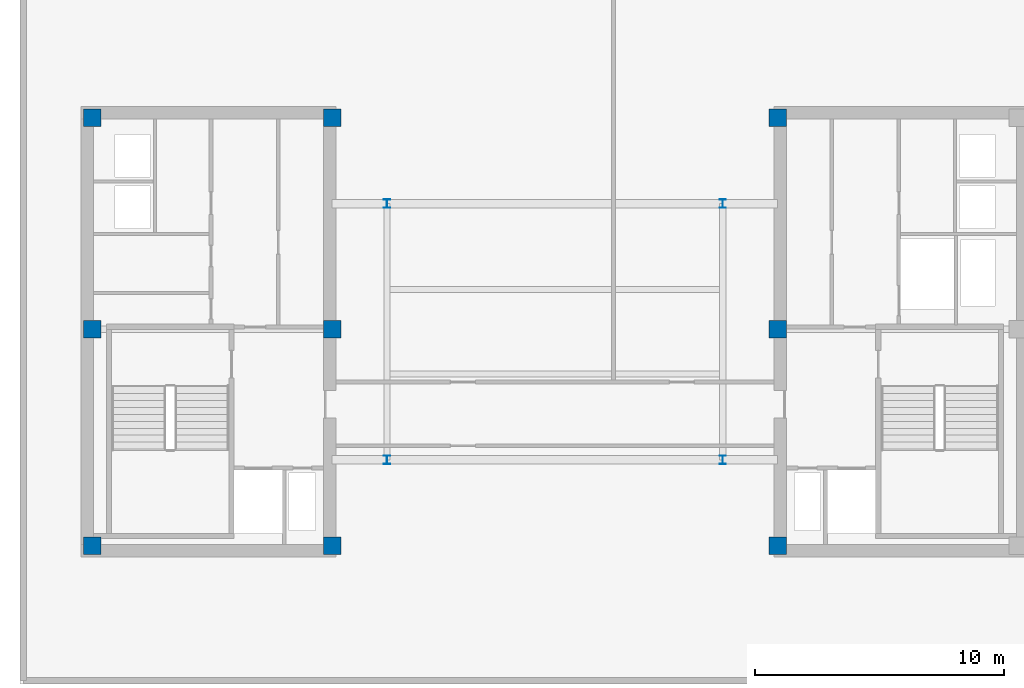
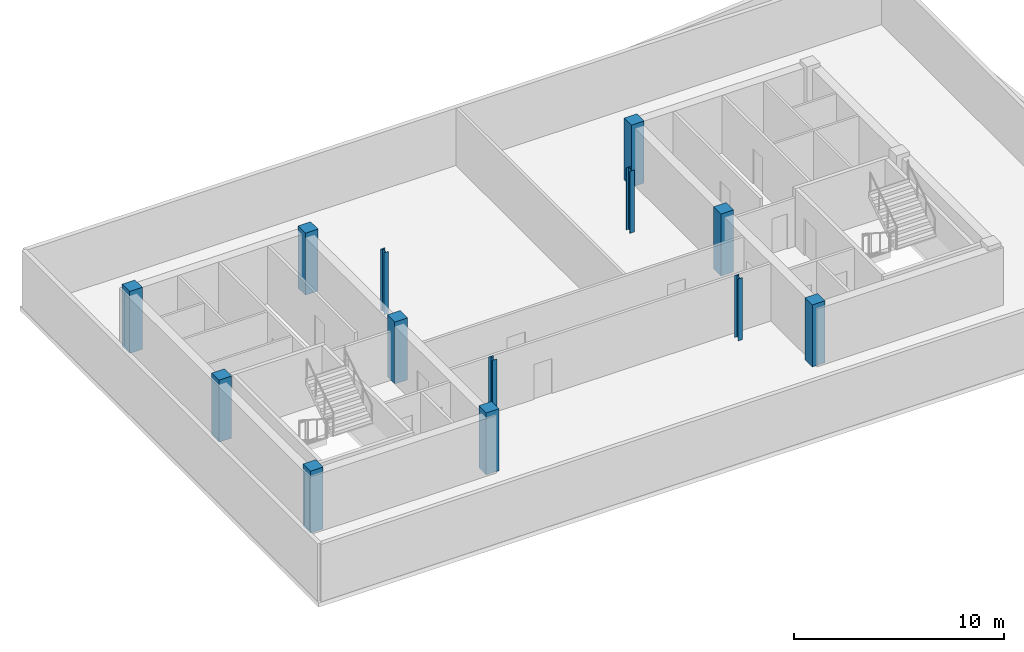
# One storey, part 1 of 6: 13 columns.
"""IFC4 building model written with IfcOpenShell, lengths in metres."""

from ifc_helpers import new_model, si_unit, direction, frame, origin, origin_2d, place, context, subcontext, project, spatial, rectangle, i_section, extrude, material, material_profile, profile_set, type_object, element, save


model = new_model("IFC4")

# Units and contexts
model_context = context("Model", 3, precision=1e-05, world=origin(), true_north=direction((0.0, 1.0)))
body_context = subcontext(model_context, "Body", "Model", "MODEL_VIEW")
ifc_project = project(units=[si_unit("LENGTHUNIT", "METRE"), si_unit("AREAUNIT", "SQUARE_METRE"), si_unit("VOLUMEUNIT", "CUBIC_METRE"), si_unit("PLANEANGLEUNIT", "RADIAN"), si_unit("MASSUNIT", "GRAM", prefix="KILO")], contexts=[model_context])

# Site, building, storey
site_placement = place(None, origin())
site = spatial("IfcSite", under=ifc_project, at=site_placement, CompositionType="ELEMENT")
building_placement = place(site_placement, origin())
building = spatial("IfcBuilding", under=site, at=building_placement, Name="Velakula Bourse", CompositionType="ELEMENT")
storey_placement = place(building_placement, frame((0.0, 0.0, 290.550048828125)))
storey = spatial("IfcBuildingStorey", under=building, at=storey_placement, Name="L79", CompositionType="ELEMENT", Elevation=290.550048828125)

# Columns
ifc_material_1 = material(Name="Steel IS 2062 Grade 350 (E350)", Category="steel")
ifc_material_profile_1 = material_profile(ifc_material_1, i_section(OverallWidth=0.25, OverallDepth=0.35009765625, WebThickness=0.010009765625, FlangeThickness=0.01171875, at=origin_2d()), Name="Steel IS 2062 Grade 350 (E350)")
ifc_profile_set_1 = profile_set([ifc_material_profile_1], Name="Steel IS 2062 Grade 350 (E350)")
column_type_1 = type_object("IfcColumnType", Name="COL-CRN-350", PredefinedType="COLUMN", material=ifc_profile_set_1)
for number, where, z_axis, x_axis, name in (
    (1, (-6.75, -5.14990234375, 0.0), (0.0, 0.0, 1.0), (1.0, 0.0, 0.0), "L79 Central Spine Column 01"),
    (2, (-6.75, 5.14990234375, 0.0), (0.0, 0.0, 1.0), (1.0, 0.0, 0.0), "L79 Central Spine Column 02"),
    (3, (6.75, -5.14990234375, 0.0), (0.0, 0.0, 1.0), (1.0, 0.0, 0.0), "L79 Central Spine Column 03"),
    (4, (6.75, 5.14990234375, 0.0), (0.0, 0.0, 1.0), (1.0, 0.0, 0.0), "L79 Central Spine Column 04"),
):
    element("IfcColumn", number, at=place(storey_placement, frame(where, z_axis=z_axis, x_axis=x_axis)), inside=storey, type_object=column_type_1, Name=name, PredefinedType="COLUMN", context=body_context, shape_type="SweptSolid", body=[
        extrude(i_section(OverallWidth=0.25, OverallDepth=0.35009765625, WebThickness=0.010009765625, FlangeThickness=0.01171875, at=origin_2d()), origin(), (0.0, 0.0, 1.0), 3.599853515625),
    ])
ifc_material_2 = material(Name="Concrete M50 (fck 50 MPa)", Category="concrete")
ifc_material_profile_2 = material_profile(ifc_material_2, rectangle(XDim=0.699951171875, YDim=0.699951171875, at=origin_2d()), Name="Concrete M50 (fck 50 MPa)")
ifc_profile_set_2 = profile_set([ifc_material_profile_2], Name="Concrete M50 (fck 50 MPa)")
column_type_2 = type_object("IfcColumnType", Name="COL-RC-700", PredefinedType="COLUMN", material=ifc_profile_set_2)
for number, where, z_axis, x_axis, name in (
    (5, (-8.949951171875, -8.60009765625, 0.0), (0.0, 0.0, 1.0), (1.0, 0.0, 0.0), "L79 Core Boundary Column 01"),
    (6, (-8.949951171875, 0.10009765625, 0.0), (0.0, 0.0, 1.0), (1.0, 0.0, 0.0), "L79 Core Boundary Column 02"),
    (7, (-8.949951171875, 8.60009765625, 0.0), (0.0, 0.0, 1.0), (1.0, 0.0, 0.0), "L79 Core Boundary Column 03"),
    (8, (-18.60009765625, -8.60009765625, 0.0), (0.0, 0.0, 1.0), (1.0, 0.0, 0.0), "L79 Core Boundary Column 04"),
    (9, (-18.60009765625, 0.10009765625, 0.0), (0.0, 0.0, 1.0), (1.0, 0.0, 0.0), "L79 Core Boundary Column 05"),
    (10, (-18.60009765625, 8.60009765625, 0.0), (0.0, 0.0, 1.0), (1.0, 0.0, 0.0), "L79 Core Boundary Column 06"),
    (11, (8.949951171875, -8.60009765625, 0.0), (0.0, 0.0, 1.0), (1.0, 0.0, 0.0), "L79 Core Boundary Column 07"),
    (12, (8.949951171875, 0.10009765625, 0.0), (0.0, 0.0, 1.0), (1.0, 0.0, 0.0), "L79 Core Boundary Column 08"),
    (13, (8.949951171875, 8.60009765625, 0.0), (0.0, 0.0, 1.0), (1.0, 0.0, 0.0), "L79 Core Boundary Column 09"),
):
    element("IfcColumn", number, at=place(storey_placement, frame(where, z_axis=z_axis, x_axis=x_axis)), inside=storey, type_object=column_type_2, Name=name, PredefinedType="COLUMN", context=body_context, shape_type="SweptSolid", body=[
        extrude(rectangle(XDim=0.699951171875, YDim=0.699951171875, at=origin_2d()), origin(), (0.0, 0.0, 1.0), 3.599853515625),
    ])

save(model, "model.ifc")
